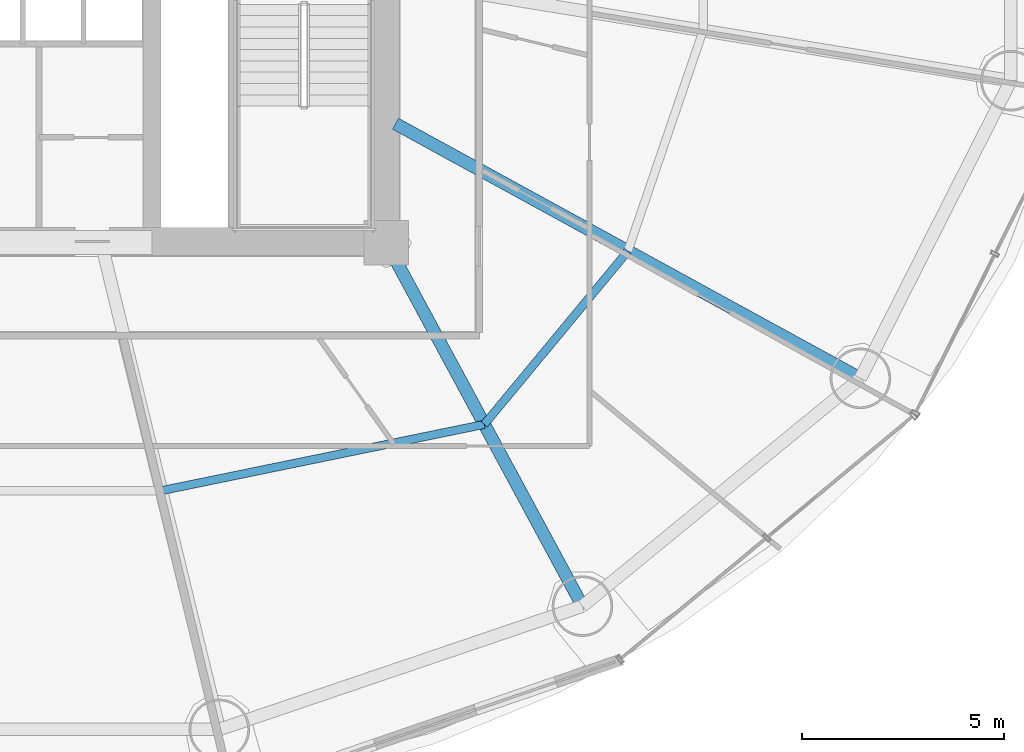
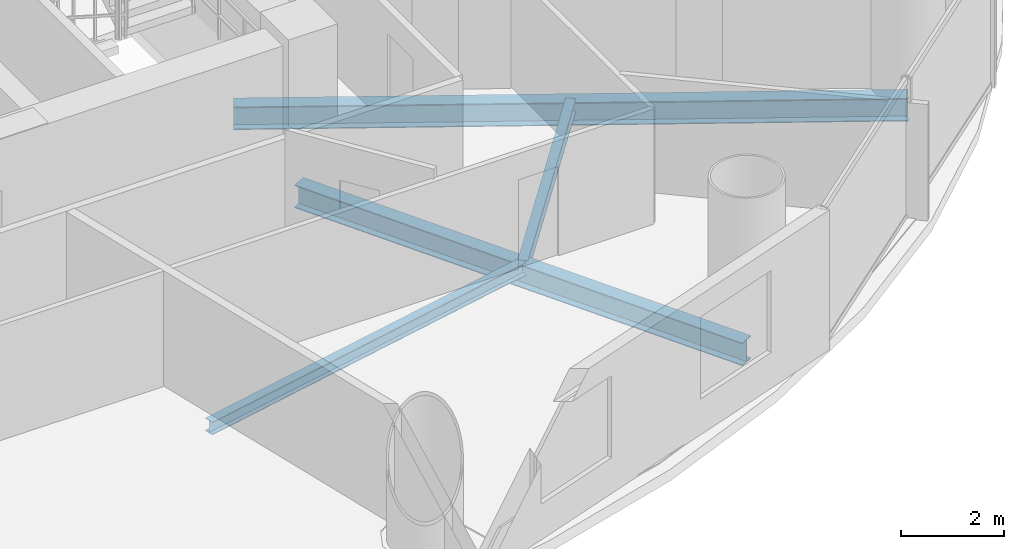
# One storey, part 12 of 29: 4 beams.
"""IFC4 building model written with IfcOpenShell, lengths in metres."""

import ifcopenshell
import ifcopenshell.guid

model = None  # the IFC model being written
_history = None  # IfcOwnerHistory: only IFC2X3 demands one
_inside = {}  # id of a spatial element -> (the spatial element, [elements in it])
_under = {}  # id of a project, library or spatial element -> (it, [spatial elements below it])
_declared = {}  # id of a project -> (the project, [libraries it declares])
_typed = {}  # id of a type object -> (the type object, [elements of that type])
_made_of = {}  # id of a material, layer set ... -> (it, [elements and type objects made of it])


def new_model(schema):
    """Start an empty IFC model of exactly this schema.

    Asked for "IFC4X3", IfcOpenShell would pick the latest addendum, in which some entities
    have other attributes; the version numbers below select the first issue.
    IFC2X3 requires an IfcOwnerHistory on every rooted entity: one is made here for all.
    """
    global model, _history
    if schema == "IFC4X3":
        model = ifcopenshell.file(schema_version=(4, 3, 0, 0))
    else:
        model = ifcopenshell.file(schema=schema)
    _inside.clear()
    _under.clear()
    _declared.clear()
    _typed.clear()
    _made_of.clear()
    _history = None
    if model.schema == "IFC2X3":
        org = make("IfcOrganization", Name="unknown")
        user = make(
            "IfcPersonAndOrganization",
            ThePerson=make("IfcPerson", FamilyName="unknown"),
            TheOrganization=org,
        )
        app = make(
            "IfcApplication",
            ApplicationDeveloper=org,
            Version="unknown",
            ApplicationFullName="unknown",
            ApplicationIdentifier="unknown",
        )
        _history = make(
            "IfcOwnerHistory",
            OwningUser=user,
            OwningApplication=app,
            ChangeAction="ADDED",
            CreationDate=0,
        )
    return model


def make(cls, **values):
    """One entity of the class cls with the attributes given. An attribute that is None is left unset."""
    return model.create_entity(
        cls, **{name: value for name, value in values.items() if value is not None}
    )


def rooted(cls, **values):
    """An entity with a GlobalId (a new one), such as an element, a storey or a relation."""
    return make(cls, GlobalId=ifcopenshell.guid.new(), OwnerHistory=_history, **values)


def si_unit(unit_type, name, prefix=None):
    """IfcSIUnit, for example si_unit("LENGTHUNIT", "METRE", prefix="MILLI")."""
    return make("IfcSIUnit", UnitType=unit_type, Prefix=prefix, Name=name)


def assignment(units):
    """IfcUnitAssignment: the units of a project."""
    return None if units is None else make("IfcUnitAssignment", Units=units)


def point(xyz):
    """IfcCartesianPoint."""
    return None if xyz is None else make("IfcCartesianPoint", Coordinates=xyz)


def direction(xyz):
    """IfcDirection."""
    return None if xyz is None else make("IfcDirection", DirectionRatios=xyz)


def frame(location, z_axis=None, x_axis=None):
    """IfcAxis2Placement3D, a coordinate frame: its origin and axes. An axis left out is left unset."""
    return make(
        "IfcAxis2Placement3D",
        Location=point(location),
        Axis=direction(z_axis),
        RefDirection=direction(x_axis),
    )


def frame_2d(location, x_axis=None):
    """IfcAxis2Placement2D, a coordinate frame in the plane: its origin and x axis."""
    return make(
        "IfcAxis2Placement2D", Location=point(location), RefDirection=direction(x_axis)
    )


def origin():
    """The frame at (0, 0, 0) with its axes left unset."""
    return frame((0.0, 0.0, 0.0))


def origin_2d():
    """The frame at (0, 0) in the plane with its x axis left unset."""
    return frame_2d((0.0, 0.0))


def place(relative_to, where):
    """IfcLocalPlacement: puts the frame where relative to a parent placement (None: the world)."""
    return make(
        "IfcLocalPlacement", PlacementRelTo=relative_to, RelativePlacement=where
    )


def context(
    kind, dimensions, precision=None, world=None, true_north=None, identifier=None
):
    """IfcGeometricRepresentationContext, for example the 3D "Model" context."""
    return make(
        "IfcGeometricRepresentationContext",
        ContextIdentifier=identifier,
        ContextType=kind,
        CoordinateSpaceDimension=dimensions,
        Precision=precision,
        WorldCoordinateSystem=world,
        TrueNorth=true_north,
    )


def subcontext(parent, identifier, kind, view, scale=None):
    """IfcGeometricRepresentationSubContext, for example "Body" below "Model"."""
    return make(
        "IfcGeometricRepresentationSubContext",
        ContextIdentifier=identifier,
        ContextType=kind,
        ParentContext=parent,
        TargetScale=scale,
        TargetView=view,
    )


def project(units=None, contexts=None):
    """IfcProject with its units and contexts."""
    return rooted(
        "IfcProject",
        Name="project",
        RepresentationContexts=contexts,
        UnitsInContext=assignment(units),
    )


def spatial(cls, under=None, at=None, **own):
    """A site, building, storey or space (cls), placed at a placement, below another one or the project."""
    s = rooted(cls, ObjectPlacement=at, **own)
    if under is not None:
        _under.setdefault(under.id(), (under, []))[1].append(s)
    return s


def profile(cls, at=None, kind="AREA", **sizes):
    """A parametric profile (cls). Its sizes go by their IFC names, for example OverallWidth=200.0."""
    return make(cls, ProfileType=kind, Position=at, **sizes)


def i_section(**sizes):
    """IfcIShapeProfileDef."""
    return profile("IfcIShapeProfileDef", **sizes)


def extrude(swept, where, along, depth):
    """IfcExtrudedAreaSolid: the profile swept, set in the frame where, extruded along a direction by depth."""
    return make(
        "IfcExtrudedAreaSolid",
        SweptArea=swept,
        Position=where,
        ExtrudedDirection=direction(along),
        Depth=depth,
    )


def shape(context_of_items, identifier, shape_type, items):
    """IfcShapeRepresentation: the items that make up one representation, for example the "Body"."""
    return make(
        "IfcShapeRepresentation",
        ContextOfItems=context_of_items,
        RepresentationIdentifier=identifier,
        RepresentationType=shape_type,
        Items=items,
    )


def material(Name=None, Category=None):
    """IfcMaterial."""
    return make("IfcMaterial", Name=Name, Category=Category)


def material_profile(
    of_material, cross_section, Name=None, Category=None, Priority=None
):
    """IfcMaterialProfile: a cross section and its material."""
    return make(
        "IfcMaterialProfile",
        Name=Name,
        Material=of_material,
        Profile=cross_section,
        Priority=Priority,
        Category=Category,
    )


def profile_set(profiles, Name=None, composite=None):
    """IfcMaterialProfileSet."""
    return make(
        "IfcMaterialProfileSet",
        Name=Name,
        MaterialProfiles=profiles,
        CompositeProfile=composite,
    )


def made_of(thing, what):
    """Note that an element or type object is made of a material, layer set ...; save() writes the relation."""
    if what is not None:
        _made_of.setdefault(what.id(), (what, []))[1].append(thing)
    return thing


def type_object(cls, material=None, **own):
    """A type object (cls), such as IfcWallType, which elements share."""
    return made_of(rooted(cls, **own), material)


def element(
    cls,
    number,
    at=None,
    inside=None,
    cuts=None,
    type_object=None,
    material=None,
    context=None,
    identifier="Body",
    shape_type=None,
    held_by="IfcProductDefinitionShape",
    body=None,
    shapes=None,
    **own,
):
    """One element of the class cls, such as IfcWall. Its Tag is "e" and its number.

    at: its placement. inside: the storey or other place that contains it. cuts: it is an
    opening in that element (IfcRelVoidsElement). A single representation is given by context,
    identifier, shape_type and body (its items); several are given by shapes. held_by: the class
    of the entity that holds the representations. save() writes the other relations.
    """
    e = rooted(cls, Tag="e%d" % number, ObjectPlacement=at, **own)
    if body is not None:
        shapes = [shape(context, identifier, shape_type, body)]
    if shapes is not None:
        e.Representation = make(held_by, Representations=shapes)
    if inside is not None:
        _inside.setdefault(inside.id(), (inside, []))[1].append(e)
    if cuts is not None:
        rooted(
            "IfcRelVoidsElement", RelatingBuildingElement=cuts, RelatedOpeningElement=e
        )
    if type_object is not None:
        _typed.setdefault(type_object.id(), (type_object, []))[1].append(e)
    return made_of(e, material)


def aggregate(whole, parts):
    """IfcRelAggregates: a whole, such as a stair, and the parts it consists of."""
    return rooted("IfcRelAggregates", RelatingObject=whole, RelatedObjects=parts)


def save(model, path):
    """Write the relations noted so far, then the file.

    IfcRelAggregates (storeys below a building ...), IfcRelContainedInSpatialStructure (elements
    in a storey), IfcRelDefinesByType, IfcRelAssociatesMaterial and IfcRelDeclares: one each for
    every whole, place, type object, material and project.
    """
    for whole, parts in _under.values():
        aggregate(whole, parts)
    for where, things in _inside.values():
        rooted(
            "IfcRelContainedInSpatialStructure",
            RelatedElements=things,
            RelatingStructure=where,
        )
    for kind, things in _typed.values():
        rooted("IfcRelDefinesByType", RelatedObjects=things, RelatingType=kind)
    for what, things in _made_of.values():
        rooted("IfcRelAssociatesMaterial", RelatedObjects=things, RelatingMaterial=what)
    for by, libraries in _declared.values():
        rooted("IfcRelDeclares", RelatingContext=by, RelatedDefinitions=libraries)
    model.write(path)


model = new_model("IFC4")

# Units and contexts
model_context = context("Model", 3, precision=1e-05, world=origin(), true_north=direction((-0.2419218956, 0.970295726276)))
body_context = subcontext(model_context, "Body", "Model", "MODEL_VIEW")
ifc_project = project(units=[si_unit("LENGTHUNIT", "METRE"), si_unit("AREAUNIT", "SQUARE_METRE"), si_unit("VOLUMEUNIT", "CUBIC_METRE"), si_unit("PLANEANGLEUNIT", "RADIAN"), si_unit("MASSUNIT", "GRAM", prefix="KILO")], contexts=[model_context])

# Site, building, storey
site_placement = place(None, origin())
site = spatial("IfcSite", under=ifc_project, at=site_placement, CompositionType="ELEMENT")
building_placement = place(site_placement, origin())
building = spatial("IfcBuilding", under=site, at=building_placement, Name="Cobrevalo Terracotta Tower", CompositionType="ELEMENT")
storey_placement = place(building_placement, frame((0.0, 0.0, 79.800048828125)))
storey = spatial("IfcBuildingStorey", under=building, at=storey_placement, Name="L20", CompositionType="ELEMENT", Elevation=79.800048828125)

# Beams
ifc_material = material(Name="Steel S355", Category="steel")
ifc_material_profile_1 = material_profile(ifc_material, i_section(OverallWidth=0.31201171875, OverallDepth=0.54296875, WebThickness=0.0126953125, FlangeThickness=0.020263671875, at=origin_2d()), Name="W 530x150")
ifc_profile_set_1 = profile_set([ifc_material_profile_1], Name="Steel S355")
beam_type_1 = type_object("IfcBeamType", Name="Structural Beam W 530x150 (Steel S355)", PredefinedType="BEAM", material=ifc_profile_set_1)
beam_1_placement = place(storey_placement, frame((51.861572265625, 9.79638671875, -0.546630859375), z_axis=(-0.475118249298, 0.879921956303, 0.0), x_axis=(-0.879921956303, -0.475118249298, 0.0)))
element("IfcBeam", 1, at=beam_1_placement, inside=storey, type_object=beam_type_1, Name="L20 radial floor girder 14", PredefinedType="BEAM", context=body_context, shape_type="SweptSolid", body=[
    extrude(i_section(OverallWidth=0.31201171875, OverallDepth=0.54296875, WebThickness=0.0126953125, FlangeThickness=0.020263671875, at=origin_2d()), origin(), (0.0, 0.0, 1.0), 10.232421875),
])
beam_2_placement = place(storey_placement, frame((58.7451171875, 15.4384765625, -0.546630859375), z_axis=(-0.877072765004, 0.480357538599, 0.0), x_axis=(-0.480357538599, -0.877072765004, 0.0)))
element("IfcBeam", 2, at=beam_2_placement, inside=storey, type_object=beam_type_1, Name="L20 radial floor girder 15", PredefinedType="BEAM", context=body_context, shape_type="SweptSolid", body=[
    extrude(i_section(OverallWidth=0.31201171875, OverallDepth=0.54296875, WebThickness=0.0126953125, FlangeThickness=0.020263671875, at=origin_2d()), origin(), (0.0, 0.0, 1.0), 13.129150390625),
])
ifc_material_profile_2 = material_profile(ifc_material, i_section(OverallWidth=0.2041015625, OverallDepth=0.305908203125, WebThickness=0.008544921875, FlangeThickness=0.0146484375, at=origin_2d()), Name="W 310x67")
ifc_profile_set_2 = profile_set([ifc_material_profile_2], Name="Steel S355")
beam_type_2 = type_object("IfcBeamType", Name="Structural Joist W 310x67 (Steel S355)", PredefinedType="JOIST", material=ifc_profile_set_2)
beam_3_placement = place(storey_placement, frame((41.432373046875, 12.656494140625, -0.427978515625), z_axis=(0.979574469315, 0.201081722357, 0.0), x_axis=(-0.201081722357, 0.979574469315, 0.0)))
element("IfcBeam", 3, at=beam_3_placement, inside=storey, type_object=beam_type_2, Name="L20 circumferential secondary floor joist 13", PredefinedType="JOIST", context=body_context, shape_type="SweptSolid", body=[
    extrude(i_section(OverallWidth=0.2041015625, OverallDepth=0.305908203125, WebThickness=0.008544921875, FlangeThickness=0.0146484375, at=origin_2d()), origin(), (0.0, 0.0, 1.0), 8.1650390625),
])
beam_4_placement = place(storey_placement, frame((49.4306640625, 14.29833984375, -0.427978515625), z_axis=(0.6379592588, 0.77007011636, 0.0), x_axis=(-0.77007011636, 0.6379592588, 0.0)))
element("IfcBeam", 4, at=beam_4_placement, inside=storey, type_object=beam_type_2, Name="L20 circumferential secondary floor joist 14", PredefinedType="JOIST", context=body_context, shape_type="SweptSolid", body=[
    extrude(i_section(OverallWidth=0.2041015625, OverallDepth=0.305908203125, WebThickness=0.008544921875, FlangeThickness=0.0146484375, at=origin_2d()), origin(), (0.0, 0.0, 1.0), 5.575439453125),
])

save(model, "model.ifc")
